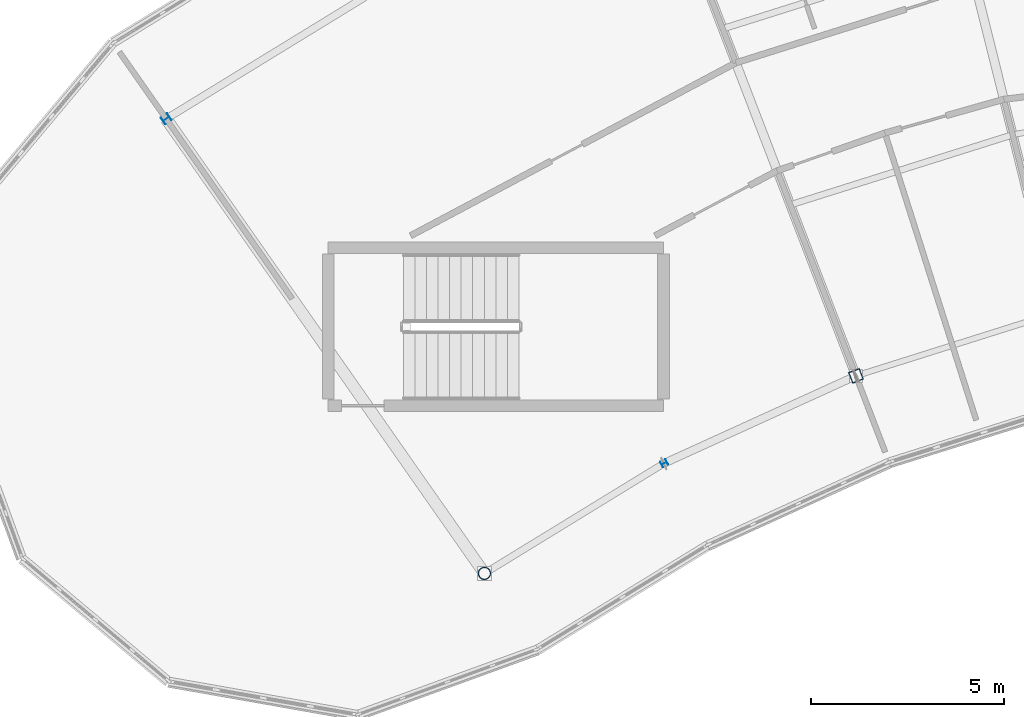
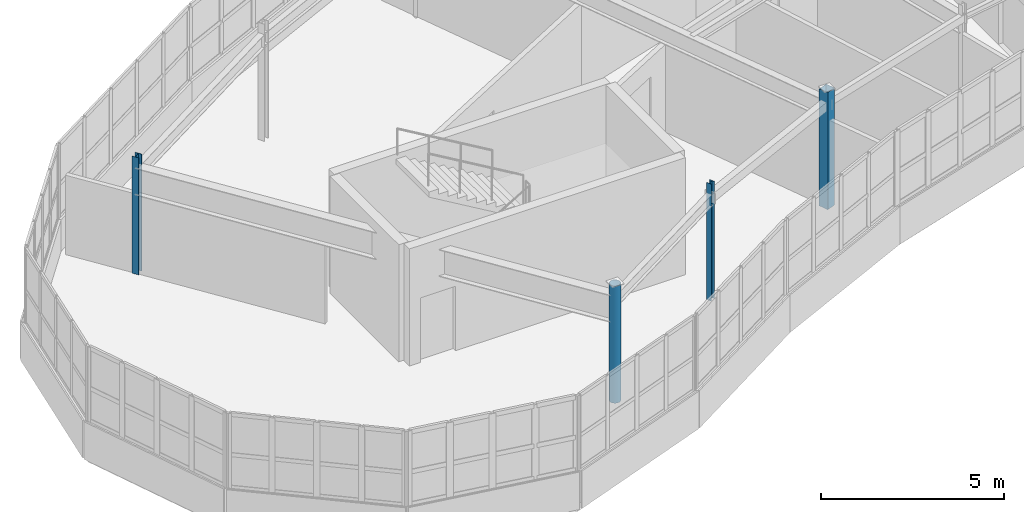
# One storey, part 9 of 79: 4 columns.
"""IFC4 building model written with IfcOpenShell, lengths in metres."""

from ifc_helpers import new_model, si_unit, direction, frame, origin, origin_2d, place, context, subcontext, project, spatial, hollow_rectangle, hollow_circle, i_section, extrude, material, material_profile, profile_set, type_object, element, save


model = new_model("IFC4")

# Units and contexts
model_context = context("Model", 3, precision=1e-05, world=origin(), true_north=direction((0.0, 1.0)))
body_context = subcontext(model_context, "Body", "Model", "MODEL_VIEW")
ifc_project = project(units=[si_unit("LENGTHUNIT", "METRE"), si_unit("AREAUNIT", "SQUARE_METRE"), si_unit("VOLUMEUNIT", "CUBIC_METRE"), si_unit("PLANEANGLEUNIT", "RADIAN"), si_unit("MASSUNIT", "GRAM", prefix="KILO")], contexts=[model_context])

# Site, building, storey
site_placement = place(None, origin())
site = spatial("IfcSite", under=ifc_project, at=site_placement, CompositionType="ELEMENT")
building_placement = place(site_placement, origin())
building = spatial("IfcBuilding", under=site, at=building_placement, Name="Tarnwether General Hospital", CompositionType="ELEMENT")
storey_placement = place(building_placement, frame((0.0, 0.0, 18.300048828125)))
storey = spatial("IfcBuildingStorey", under=building, at=storey_placement, Name="L04", CompositionType="ELEMENT", Elevation=18.300048828125)

# Columns
ifc_material_1 = material(Name="Steel Grade 350 (350 MPa)", Category="steel")
ifc_material_profile_1 = material_profile(ifc_material_1, i_section(OverallWidth=0.205078125, OverallDepth=0.2099609375, WebThickness=0.00927734375, FlangeThickness=0.01416015625, at=origin_2d()), Name="200UC59.5")
ifc_profile_set_1 = profile_set([ifc_material_profile_1], Name="Steel Grade 350 (350 MPa)")
column_type_1 = type_object("IfcColumnType", Name="COL-25", PredefinedType="COLUMN", material=ifc_profile_set_1)
column_1_placement = place(storey_placement, frame((58.0439453125, 111.493896484375, 0.0), z_axis=(0.0, 0.0, 1.0), x_axis=(-0.573576436351, 0.819152044289, 0.0)))
element("IfcColumn", 1, at=column_1_placement, inside=storey, type_object=column_type_1, Name="Column COLG-L04-5804_11149", PredefinedType="COLUMN", context=body_context, shape_type="SweptSolid", body=[
    extrude(i_section(OverallWidth=0.205078125, OverallDepth=0.2099609375, WebThickness=0.00927734375, FlangeThickness=0.01416015625, at=origin_2d()), origin(), (0.0, 0.0, 1.0), 3.89990234375),
])
ifc_material_2 = material(Name="Steel Grade C350L0 (350 MPa)", Category="steel")
ifc_material_profile_2 = material_profile(ifc_material_2, hollow_circle(Radius=0.161865234375, WallThickness=0.0126953125, at=origin_2d()), Name="CHS323.9x12.7")
ifc_profile_set_2 = profile_set([ifc_material_profile_2], Name="Steel Grade C350L0 (350 MPa)")
column_type_2 = type_object("IfcColumnType", Name="COL-26", PredefinedType="COLUMN", material=ifc_profile_set_2)
column_2_placement = place(storey_placement, frame((66.303955078125, 99.697998046875, 0.0), z_axis=(0.0, 0.0, 1.0), x_axis=(-0.573576436351, 0.819152044289, 0.0)))
element("IfcColumn", 2, at=column_2_placement, inside=storey, type_object=column_type_2, Name="Column COLG-L04-6630_9970", PredefinedType="COLUMN", context=body_context, shape_type="SweptSolid", body=[
    extrude(hollow_circle(Radius=0.161865234375, WallThickness=0.0126953125, at=origin_2d()), origin(), (0.0, 0.0, 1.0), 3.89990234375),
])
ifc_material_3 = material(Name="Steel Grade 350 (350 MPa)", Category="steel")
ifc_material_profile_3 = material_profile(ifc_material_3, i_section(OverallWidth=0.154052734375, OverallDepth=0.162109375, WebThickness=0.008056640625, FlangeThickness=0.011474609375, at=origin_2d()), Name="150UC37.2")
ifc_profile_set_3 = profile_set([ifc_material_profile_3], Name="Steel Grade 350 (350 MPa)")
column_type_3 = type_object("IfcColumnType", Name="COL-28", PredefinedType="COLUMN", material=ifc_profile_set_3)
column_3_placement = place(storey_placement, frame((70.968017578125, 102.555908203125, 0.0), z_axis=(0.0, 0.0, 1.0), x_axis=(-0.469471562786, 0.882947592859, 0.0)))
element("IfcColumn", 3, at=column_3_placement, inside=storey, type_object=column_type_3, Name="Column COLG-L04-7097_10256", PredefinedType="COLUMN", context=body_context, shape_type="SweptSolid", body=[
    extrude(i_section(OverallWidth=0.154052734375, OverallDepth=0.162109375, WebThickness=0.008056640625, FlangeThickness=0.011474609375, at=origin_2d()), origin(), (0.0, 0.0, 1.0), 3.89990234375),
])
ifc_material_4 = material(Name="Steel Grade C350L0 (350 MPa)", Category="steel")
ifc_material_profile_4 = material_profile(ifc_material_4, hollow_rectangle(XDim=0.300048828125, YDim=0.300048828125, WallThickness=0.012451171875, at=origin_2d()), Name="SHS300x300x12.5")
ifc_profile_set_4 = profile_set([ifc_material_profile_4], Name="Steel Grade C350L0 (350 MPa)")
column_type_4 = type_object("IfcColumnType", Name="COL-30", PredefinedType="COLUMN", material=ifc_profile_set_4)
column_4_placement = place(storey_placement, frame((75.945068359375, 104.823974609375, 0.0), z_axis=(0.0, 0.0, 1.0), x_axis=(-0.358367949545, 0.933580426497, 0.0)))
element("IfcColumn", 4, at=column_4_placement, inside=storey, type_object=column_type_4, Name="Column COLG-L04-7594_10482", PredefinedType="COLUMN", context=body_context, shape_type="SweptSolid", body=[
    extrude(hollow_rectangle(XDim=0.300048828125, YDim=0.300048828125, WallThickness=0.012451171875, at=origin_2d()), origin(), (0.0, 0.0, 1.0), 3.89990234375),
])

save(model, "model.ifc")
